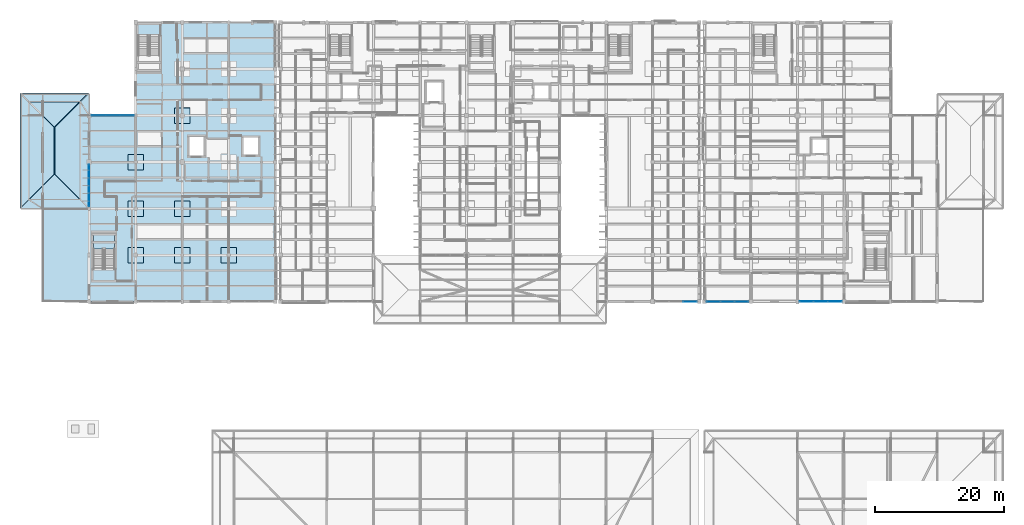
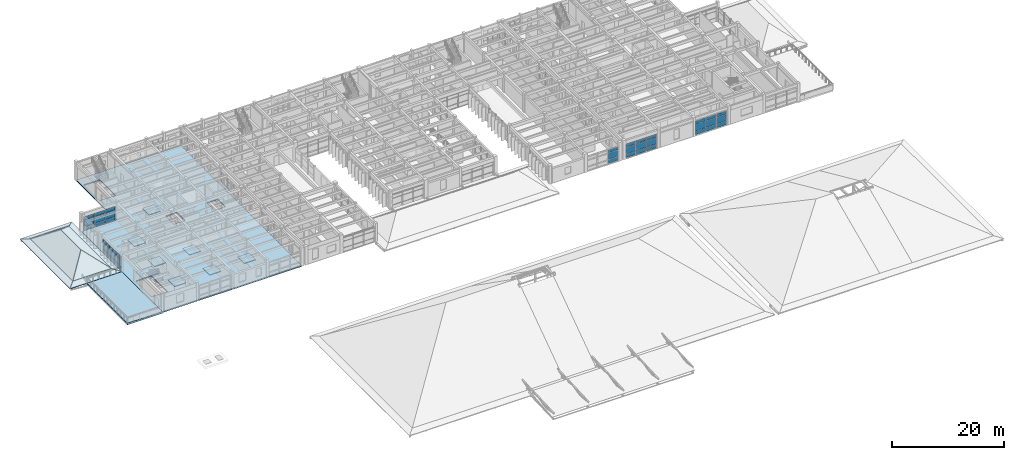
# One storey, part 49 of 100: 39 plates, 18 slabs, 7 elements without a shape of their own.
"""IFC4 building model written with IfcOpenShell, lengths in metres."""

from ifc_helpers import new_model, si_unit, direction, frame, origin, origin_2d, place, context, subcontext, project, spatial, polyline, rectangle, outline, extrude, material, layer, layer_set, type_object, element, aggregate, save


model = new_model("IFC4")

# Units and contexts
model_context = context("Model", 3, precision=1e-05, world=origin(), true_north=direction((0.0, 1.0)))
body_context = subcontext(model_context, "Body", "Model", "MODEL_VIEW")
ifc_project = project(units=[si_unit("LENGTHUNIT", "METRE"), si_unit("AREAUNIT", "SQUARE_METRE"), si_unit("VOLUMEUNIT", "CUBIC_METRE"), si_unit("PLANEANGLEUNIT", "RADIAN"), si_unit("MASSUNIT", "GRAM", prefix="KILO")], contexts=[model_context])

# Site, building, storey
site_placement = place(None, origin())
site = spatial("IfcSite", under=ifc_project, at=site_placement, CompositionType="ELEMENT")
building_placement = place(site_placement, origin())
building = spatial("IfcBuilding", under=site, at=building_placement, Name="Steenspoor Specialist Clinic", CompositionType="ELEMENT")
storey_placement = place(building_placement, frame((0.0, 0.0, 9.0)))
storey = spatial("IfcBuildingStorey", under=building, at=storey_placement, Name="L02", CompositionType="ELEMENT", Elevation=9.0)

# Curtain wall, plates
ifc_material_1 = material(Name="Thermally broken aluminium and low-emissivity glass", Category="aluminium")
curtain_wall_type_1 = type_object("IfcCurtainWallType", Name="CW-SCR-480X320", PredefinedType="USERDEFINED", material=ifc_material_1)
curtain_wall_1_placement = place(storey_placement, origin())
curtain_wall_1 = element("IfcCurtainWall", 1, at=curtain_wall_1_placement, inside=storey, type_object=curtain_wall_type_1, Name="Unitised Curtain Wall CW-V4-L02-090", ObjectType="UNITISED GLAZING", PredefinedType="USERDEFINED")
ifc_material_2 = material(Name="Double low-emissivity insulated glass", Category="glass")
ifc_layer_1 = layer(ifc_material_2, 0.035888671875)
ifc_layer_set_1 = layer_set([ifc_layer_1], Name="Double low-emissivity insulated glass")
plate_type_1 = type_object("IfcPlateType", Name="CW-PAN-GL36", PredefinedType="CURTAIN_PANEL", material=ifc_layer_set_1)
plate_1_placement = place(storey_placement, frame((115.7841796875, 65.14990234375, 0.080078125), z_axis=(0.0, 0.0, 1.0), x_axis=(-1.0, 0.0, 0.0)))
plate_1 = element("IfcPlate", 2, at=plate_1_placement, type_object=plate_type_1, Name="CW-18 panel 1.1", PredefinedType="CURTAIN_PANEL", context=body_context, shape_type="SweptSolid", body=[
    extrude(rectangle(XDim=2.07177734375, YDim=0.035888671875, at=origin_2d()), origin(), (0.0, 0.0, 1.0), 0.780029296875),
])
plate_2_placement = place(storey_placement, frame((115.7841796875, 65.14990234375, 0.93994140625), z_axis=(0.0, 0.0, 1.0), x_axis=(-1.0, 0.0, 0.0)))
plate_2 = element("IfcPlate", 3, at=plate_2_placement, type_object=plate_type_1, Name="CW-18 panel 1.2", PredefinedType="CURTAIN_PANEL", context=body_context, shape_type="SweptSolid", body=[
    extrude(rectangle(XDim=2.07177734375, YDim=0.035888671875, at=origin_2d()), origin(), (0.0, 0.0, 1.0), 1.3701171875),
])
plate_3_placement = place(storey_placement, frame((115.7841796875, 65.14990234375, 2.39013671875), z_axis=(0.0, 0.0, 1.0), x_axis=(-1.0, 0.0, 0.0)))
plate_3 = element("IfcPlate", 4, at=plate_3_placement, type_object=plate_type_1, Name="CW-18 panel 1.3", PredefinedType="CURTAIN_PANEL", context=body_context, shape_type="SweptSolid", body=[
    extrude(rectangle(XDim=2.07177734375, YDim=0.035888671875, at=origin_2d()), origin(), (0.0, 0.0, 1.0), 0.659912109375),
])
aggregate(curtain_wall_1, [plate_1, plate_2, plate_3])

curtain_wall_2_placement = place(storey_placement, origin())
curtain_wall_2 = element("IfcCurtainWall", 5, at=curtain_wall_2_placement, inside=storey, type_object=curtain_wall_type_1, Name="Unitised Curtain Wall CW-V6-L02-186", ObjectType="UNITISED GLAZING", PredefinedType="USERDEFINED")
plate_4_placement = place(storey_placement, frame((123.75927734375, 65.14990234375, 0.070068359375), z_axis=(0.0, 0.0, 1.0), x_axis=(-1.0, 0.0, 0.0)))
plate_4 = element("IfcPlate", 6, at=plate_4_placement, type_object=plate_type_1, Name="CW-18 panel 1.1", PredefinedType="CURTAIN_PANEL", context=body_context, shape_type="SweptSolid", body=[
    extrude(rectangle(XDim=2.07177734375, YDim=0.035888671875, at=origin_2d()), origin(), (0.0, 0.0, 1.0), 0.794921875),
])
plate_5_placement = place(storey_placement, frame((123.75927734375, 65.14990234375, 0.93505859375), z_axis=(0.0, 0.0, 1.0), x_axis=(-1.0, 0.0, 0.0)))
plate_5 = element("IfcPlate", 7, at=plate_5_placement, type_object=plate_type_1, Name="CW-18 panel 1.2", PredefinedType="CURTAIN_PANEL", context=body_context, shape_type="SweptSolid", body=[
    extrude(rectangle(XDim=2.07177734375, YDim=0.035888671875, at=origin_2d()), origin(), (0.0, 0.0, 1.0), 1.3798828125),
])
plate_6_placement = place(storey_placement, frame((123.75927734375, 65.14990234375, 2.384765625), z_axis=(0.0, 0.0, 1.0), x_axis=(-1.0, 0.0, 0.0)))
plate_6 = element("IfcPlate", 8, at=plate_6_placement, type_object=plate_type_1, Name="CW-18 panel 1.3", PredefinedType="CURTAIN_PANEL", context=body_context, shape_type="SweptSolid", body=[
    extrude(rectangle(XDim=2.07177734375, YDim=0.035888671875, at=origin_2d()), origin(), (0.0, 0.0, 1.0), 0.675048828125),
])
plate_7_placement = place(storey_placement, frame((121.58740234375, 65.14990234375, 0.070068359375), z_axis=(0.0, 0.0, 1.0), x_axis=(-1.0, 0.0, 0.0)))
plate_7 = element("IfcPlate", 9, at=plate_7_placement, type_object=plate_type_1, Name="CW-18 panel 2.1", PredefinedType="CURTAIN_PANEL", context=body_context, shape_type="SweptSolid", body=[
    extrude(rectangle(XDim=2.111572265625, YDim=0.035888671875, at=origin_2d()), origin(), (0.0, 0.0, 1.0), 0.794921875),
])
plate_8_placement = place(storey_placement, frame((121.58740234375, 65.14990234375, 0.93505859375), z_axis=(0.0, 0.0, 1.0), x_axis=(-1.0, 0.0, 0.0)))
plate_8 = element("IfcPlate", 10, at=plate_8_placement, type_object=plate_type_1, Name="CW-18 panel 2.2", PredefinedType="CURTAIN_PANEL", context=body_context, shape_type="SweptSolid", body=[
    extrude(rectangle(XDim=2.111572265625, YDim=0.035888671875, at=origin_2d()), origin(), (0.0, 0.0, 1.0), 1.3798828125),
])
plate_9_placement = place(storey_placement, frame((121.58740234375, 65.14990234375, 2.384765625), z_axis=(0.0, 0.0, 1.0), x_axis=(-1.0, 0.0, 0.0)))
plate_9 = element("IfcPlate", 11, at=plate_9_placement, type_object=plate_type_1, Name="CW-18 panel 2.3", PredefinedType="CURTAIN_PANEL", context=body_context, shape_type="SweptSolid", body=[
    extrude(rectangle(XDim=2.111572265625, YDim=0.035888671875, at=origin_2d()), origin(), (0.0, 0.0, 1.0), 0.675048828125),
])
plate_10_placement = place(storey_placement, frame((119.415771484375, 65.14990234375, 0.070068359375), z_axis=(0.0, 0.0, 1.0), x_axis=(-1.0, 0.0, 0.0)))
plate_10 = element("IfcPlate", 12, at=plate_10_placement, type_object=plate_type_1, Name="CW-18 panel 3.1", PredefinedType="CURTAIN_PANEL", context=body_context, shape_type="SweptSolid", body=[
    extrude(rectangle(XDim=2.07177734375, YDim=0.035888671875, at=origin_2d()), origin(), (0.0, 0.0, 1.0), 0.794921875),
])
plate_11_placement = place(storey_placement, frame((119.415771484375, 65.14990234375, 0.93505859375), z_axis=(0.0, 0.0, 1.0), x_axis=(-1.0, 0.0, 0.0)))
plate_11 = element("IfcPlate", 13, at=plate_11_placement, type_object=plate_type_1, Name="CW-18 panel 3.2", PredefinedType="CURTAIN_PANEL", context=body_context, shape_type="SweptSolid", body=[
    extrude(rectangle(XDim=2.07177734375, YDim=0.035888671875, at=origin_2d()), origin(), (0.0, 0.0, 1.0), 1.3798828125),
])
plate_12_placement = place(storey_placement, frame((119.415771484375, 65.14990234375, 2.384765625), z_axis=(0.0, 0.0, 1.0), x_axis=(-1.0, 0.0, 0.0)))
plate_12 = element("IfcPlate", 14, at=plate_12_placement, type_object=plate_type_1, Name="CW-18 panel 3.3", PredefinedType="CURTAIN_PANEL", context=body_context, shape_type="SweptSolid", body=[
    extrude(rectangle(XDim=2.07177734375, YDim=0.035888671875, at=origin_2d()), origin(), (0.0, 0.0, 1.0), 0.675048828125),
])
aggregate(curtain_wall_2, [plate_4, plate_5, plate_6, plate_7, plate_8, plate_9, plate_10, plate_11, plate_12])

curtain_wall_type_2 = type_object("IfcCurtainWallType", Name="CW-L00-360X415", PredefinedType="USERDEFINED", material=ifc_material_1)
curtain_wall_3_placement = place(storey_placement, origin())
curtain_wall_3 = element("IfcCurtainWall", 15, at=curtain_wall_3_placement, inside=storey, type_object=curtain_wall_type_2, Name="Unitised Curtain Wall CW-V5-L02-151", ObjectType="UNITISED GLAZING", PredefinedType="USERDEFINED")
ifc_material_3 = material(Name="Triple acoustic laminated low-emissivity glass", Category="glass")
ifc_layer_2 = layer(ifc_material_3, 0.048095703125)
ifc_layer_set_2 = layer_set([ifc_layer_2], Name="Triple acoustic laminated low-emissivity glass")
plate_type_2 = type_object("IfcPlateType", Name="CW-PAN-GL48", PredefinedType="CURTAIN_PANEL", material=ifc_layer_set_2)
plate_13_placement = place(storey_placement, frame((22.800048828125, 80.936767578125, 0.070068359375), z_axis=(0.0, 0.0, 1.0), x_axis=(0.0, 1.0, 0.0)))
plate_13 = element("IfcPlate", 16, at=plate_13_placement, type_object=plate_type_2, Name="CW-07 panel 1.1", PredefinedType="CURTAIN_PANEL", context=body_context, shape_type="SweptSolid", body=[
    extrude(rectangle(XDim=2.063232421875, YDim=0.048095703125, at=origin_2d()), origin(), (0.0, 0.0, 1.0), 0.794921875),
])
plate_14_placement = place(storey_placement, frame((22.800048828125, 80.936767578125, 0.93505859375), z_axis=(0.0, 0.0, 1.0), x_axis=(0.0, 1.0, 0.0)))
plate_14 = element("IfcPlate", 17, at=plate_14_placement, type_object=plate_type_2, Name="CW-07 panel 1.2", PredefinedType="CURTAIN_PANEL", context=body_context, shape_type="SweptSolid", body=[
    extrude(rectangle(XDim=2.063232421875, YDim=0.048095703125, at=origin_2d()), origin(), (0.0, 0.0, 1.0), 1.3798828125),
])
plate_15_placement = place(storey_placement, frame((22.800048828125, 80.936767578125, 2.384765625), z_axis=(0.0, 0.0, 1.0), x_axis=(0.0, 1.0, 0.0)))
plate_15 = element("IfcPlate", 18, at=plate_15_placement, type_object=plate_type_2, Name="CW-07 panel 1.3", PredefinedType="CURTAIN_PANEL", context=body_context, shape_type="SweptSolid", body=[
    extrude(rectangle(XDim=2.063232421875, YDim=0.048095703125, at=origin_2d()), origin(), (0.0, 0.0, 1.0), 0.675048828125),
])
plate_16_placement = place(storey_placement, frame((22.800048828125, 83.10009765625, 0.070068359375), z_axis=(0.0, 0.0, 1.0), x_axis=(0.0, 1.0, 0.0)))
plate_16 = element("IfcPlate", 19, at=plate_16_placement, type_object=plate_type_2, Name="CW-07 panel 2.1", PredefinedType="CURTAIN_PANEL", context=body_context, shape_type="SweptSolid", body=[
    extrude(rectangle(XDim=2.103271484375, YDim=0.048095703125, at=origin_2d()), origin(), (0.0, 0.0, 1.0), 0.794921875),
])
plate_17_placement = place(storey_placement, frame((22.800048828125, 83.10009765625, 0.93505859375), z_axis=(0.0, 0.0, 1.0), x_axis=(0.0, 1.0, 0.0)))
plate_17 = element("IfcPlate", 20, at=plate_17_placement, type_object=plate_type_2, Name="CW-07 panel 2.2", PredefinedType="CURTAIN_PANEL", context=body_context, shape_type="SweptSolid", body=[
    extrude(rectangle(XDim=2.103271484375, YDim=0.048095703125, at=origin_2d()), origin(), (0.0, 0.0, 1.0), 1.3798828125),
])
plate_18_placement = place(storey_placement, frame((22.800048828125, 83.10009765625, 2.384765625), z_axis=(0.0, 0.0, 1.0), x_axis=(0.0, 1.0, 0.0)))
plate_18 = element("IfcPlate", 21, at=plate_18_placement, type_object=plate_type_2, Name="CW-07 panel 2.3", PredefinedType="CURTAIN_PANEL", context=body_context, shape_type="SweptSolid", body=[
    extrude(rectangle(XDim=2.103271484375, YDim=0.048095703125, at=origin_2d()), origin(), (0.0, 0.0, 1.0), 0.675048828125),
])
plate_19_placement = place(storey_placement, frame((22.800048828125, 85.263427734375, 0.070068359375), z_axis=(0.0, 0.0, 1.0), x_axis=(0.0, 1.0, 0.0)))
plate_19 = element("IfcPlate", 22, at=plate_19_placement, type_object=plate_type_2, Name="CW-07 panel 3.1", PredefinedType="CURTAIN_PANEL", context=body_context, shape_type="SweptSolid", body=[
    extrude(rectangle(XDim=2.063232421875, YDim=0.048095703125, at=origin_2d()), origin(), (0.0, 0.0, 1.0), 0.794921875),
])
plate_20_placement = place(storey_placement, frame((22.800048828125, 85.263427734375, 0.93505859375), z_axis=(0.0, 0.0, 1.0), x_axis=(0.0, 1.0, 0.0)))
plate_20 = element("IfcPlate", 23, at=plate_20_placement, type_object=plate_type_2, Name="CW-07 panel 3.2", PredefinedType="CURTAIN_PANEL", context=body_context, shape_type="SweptSolid", body=[
    extrude(rectangle(XDim=2.063232421875, YDim=0.048095703125, at=origin_2d()), origin(), (0.0, 0.0, 1.0), 1.3798828125),
])
plate_21_placement = place(storey_placement, frame((22.800048828125, 85.263427734375, 2.384765625), z_axis=(0.0, 0.0, 1.0), x_axis=(0.0, 1.0, 0.0)))
plate_21 = element("IfcPlate", 24, at=plate_21_placement, type_object=plate_type_2, Name="CW-07 panel 3.3", PredefinedType="CURTAIN_PANEL", context=body_context, shape_type="SweptSolid", body=[
    extrude(rectangle(XDim=2.063232421875, YDim=0.048095703125, at=origin_2d()), origin(), (0.0, 0.0, 1.0), 0.675048828125),
])
aggregate(curtain_wall_3, [plate_13, plate_14, plate_15, plate_16, plate_17, plate_18, plate_19, plate_20, plate_21])

curtain_wall_type_3 = type_object("IfcCurtainWallType", Name="CW-L00-240X415", PredefinedType="USERDEFINED", material=ifc_material_1)
curtain_wall_4_placement = place(storey_placement, origin())
curtain_wall_4 = element("IfcCurtainWall", 25, at=curtain_wall_4_placement, inside=storey, type_object=curtain_wall_type_3, Name="Unitised Curtain Wall CW-V5-L02-152", ObjectType="UNITISED GLAZING", PredefinedType="USERDEFINED")
ifc_material_4 = material(Name="Insulated glazed ceramic spandrel panel", Category="glass")
ifc_layer_3 = layer(ifc_material_4, 0.074951171875)
ifc_layer_set_3 = layer_set([ifc_layer_3], Name="Insulated glazed ceramic spandrel panel")
plate_type_3 = type_object("IfcPlateType", Name="CW-PAN-SP75", PredefinedType="CURTAIN_PANEL", material=ifc_layer_set_3)
plate_22_placement = place(storey_placement, frame((24.271728515625, 93.949951171875, 0.06494140625), z_axis=(0.0, 0.0, 1.0), x_axis=(1.0, 0.0, 0.0)))
plate_22 = element("IfcPlate", 26, at=plate_22_placement, type_object=plate_type_3, Name="CW-08 panel 1.1", PredefinedType="CURTAIN_PANEL", context=body_context, shape_type="SweptSolid", body=[
    extrude(rectangle(XDim=2.103271484375, YDim=0.074951171875, at=origin_2d()), origin(), (0.0, 0.0, 1.0), 0.802490234375),
])
plate_23_placement = place(storey_placement, frame((24.271728515625, 93.949951171875, 0.9326171875), z_axis=(0.0, 0.0, 1.0), x_axis=(1.0, 0.0, 0.0)))
plate_23 = element("IfcPlate", 27, at=plate_23_placement, type_object=plate_type_3, Name="CW-08 panel 1.2", PredefinedType="CURTAIN_PANEL", context=body_context, shape_type="SweptSolid", body=[
    extrude(rectangle(XDim=2.103271484375, YDim=0.074951171875, at=origin_2d()), origin(), (0.0, 0.0, 1.0), 1.385009765625),
])
plate_24_placement = place(storey_placement, frame((24.271728515625, 93.949951171875, 2.38232421875), z_axis=(0.0, 0.0, 1.0), x_axis=(1.0, 0.0, 0.0)))
plate_24 = element("IfcPlate", 28, at=plate_24_placement, type_object=plate_type_3, Name="CW-08 panel 1.3", PredefinedType="CURTAIN_PANEL", context=body_context, shape_type="SweptSolid", body=[
    extrude(rectangle(XDim=2.103271484375, YDim=0.074951171875, at=origin_2d()), origin(), (0.0, 0.0, 1.0), 0.6826171875),
])
plate_25_placement = place(storey_placement, frame((26.46240234375, 93.949951171875, 0.06494140625), z_axis=(0.0, 0.0, 1.0), x_axis=(1.0, 0.0, 0.0)))
plate_25 = element("IfcPlate", 29, at=plate_25_placement, type_object=plate_type_3, Name="CW-08 panel 2.1", PredefinedType="CURTAIN_PANEL", context=body_context, shape_type="SweptSolid", body=[
    extrude(rectangle(XDim=2.138427734375, YDim=0.074951171875, at=origin_2d()), origin(), (0.0, 0.0, 1.0), 0.802490234375),
])
plate_26_placement = place(storey_placement, frame((26.46240234375, 93.949951171875, 0.9326171875), z_axis=(0.0, 0.0, 1.0), x_axis=(1.0, 0.0, 0.0)))
plate_26 = element("IfcPlate", 30, at=plate_26_placement, type_object=plate_type_3, Name="CW-08 panel 2.2", PredefinedType="CURTAIN_PANEL", context=body_context, shape_type="SweptSolid", body=[
    extrude(rectangle(XDim=2.138427734375, YDim=0.074951171875, at=origin_2d()), origin(), (0.0, 0.0, 1.0), 1.385009765625),
])
plate_27_placement = place(storey_placement, frame((26.46240234375, 93.949951171875, 2.38232421875), z_axis=(0.0, 0.0, 1.0), x_axis=(1.0, 0.0, 0.0)))
plate_27 = element("IfcPlate", 31, at=plate_27_placement, type_object=plate_type_3, Name="CW-08 panel 2.3", PredefinedType="CURTAIN_PANEL", context=body_context, shape_type="SweptSolid", body=[
    extrude(rectangle(XDim=2.138427734375, YDim=0.074951171875, at=origin_2d()), origin(), (0.0, 0.0, 1.0), 0.6826171875),
])
plate_28_placement = place(storey_placement, frame((28.6533203125, 93.949951171875, 0.06494140625), z_axis=(0.0, 0.0, 1.0), x_axis=(1.0, 0.0, 0.0)))
plate_28 = element("IfcPlate", 32, at=plate_28_placement, type_object=plate_type_3, Name="CW-08 panel 3.1", PredefinedType="CURTAIN_PANEL", context=body_context, shape_type="SweptSolid", body=[
    extrude(rectangle(XDim=2.103271484375, YDim=0.074951171875, at=origin_2d()), origin(), (0.0, 0.0, 1.0), 0.802490234375),
])
plate_29_placement = place(storey_placement, frame((28.6533203125, 93.949951171875, 0.9326171875), z_axis=(0.0, 0.0, 1.0), x_axis=(1.0, 0.0, 0.0)))
plate_29 = element("IfcPlate", 33, at=plate_29_placement, type_object=plate_type_3, Name="CW-08 panel 3.2", PredefinedType="CURTAIN_PANEL", context=body_context, shape_type="SweptSolid", body=[
    extrude(rectangle(XDim=2.103271484375, YDim=0.074951171875, at=origin_2d()), origin(), (0.0, 0.0, 1.0), 1.385009765625),
])
plate_30_placement = place(storey_placement, frame((28.6533203125, 93.949951171875, 2.38232421875), z_axis=(0.0, 0.0, 1.0), x_axis=(1.0, 0.0, 0.0)))
plate_30 = element("IfcPlate", 34, at=plate_30_placement, type_object=plate_type_3, Name="CW-08 panel 3.3", PredefinedType="CURTAIN_PANEL", context=body_context, shape_type="SweptSolid", body=[
    extrude(rectangle(XDim=2.103271484375, YDim=0.074951171875, at=origin_2d()), origin(), (0.0, 0.0, 1.0), 0.6826171875),
])
aggregate(curtain_wall_4, [plate_22, plate_23, plate_24, plate_25, plate_26, plate_27, plate_28, plate_29, plate_30])

curtain_wall_type_4 = type_object("IfcCurtainWallType", Name="CW-SCR-660X320", PredefinedType="USERDEFINED", material=ifc_material_1)
curtain_wall_5_placement = place(storey_placement, origin())
curtain_wall_5 = element("IfcCurtainWall", 35, at=curtain_wall_5_placement, inside=storey, type_object=curtain_wall_type_4, Name="Unitised Curtain Wall CW-V6-L02-185", ObjectType="UNITISED GLAZING", PredefinedType="USERDEFINED")
plate_31_placement = place(storey_placement, frame((138.169189453125, 65.14990234375, 0.080078125), z_axis=(0.0, 0.0, 1.0), x_axis=(-1.0, 0.0, 0.0)))
plate_31 = element("IfcPlate", 36, at=plate_31_placement, type_object=plate_type_3, Name="CW-17 panel 1.1", PredefinedType="CURTAIN_PANEL", context=body_context, shape_type="SweptSolid", body=[
    extrude(rectangle(XDim=2.081787109375, YDim=0.074951171875, at=origin_2d()), origin(), (0.0, 0.0, 1.0), 0.780029296875),
])
plate_32_placement = place(storey_placement, frame((138.169189453125, 65.14990234375, 0.93994140625), z_axis=(0.0, 0.0, 1.0), x_axis=(-1.0, 0.0, 0.0)))
plate_32 = element("IfcPlate", 37, at=plate_32_placement, type_object=plate_type_3, Name="CW-17 panel 1.2", PredefinedType="CURTAIN_PANEL", context=body_context, shape_type="SweptSolid", body=[
    extrude(rectangle(XDim=2.081787109375, YDim=0.074951171875, at=origin_2d()), origin(), (0.0, 0.0, 1.0), 1.3701171875),
])
plate_33_placement = place(storey_placement, frame((138.169189453125, 65.14990234375, 2.39013671875), z_axis=(0.0, 0.0, 1.0), x_axis=(-1.0, 0.0, 0.0)))
plate_33 = element("IfcPlate", 38, at=plate_33_placement, type_object=plate_type_3, Name="CW-17 panel 1.3", PredefinedType="CURTAIN_PANEL", context=body_context, shape_type="SweptSolid", body=[
    extrude(rectangle(XDim=2.081787109375, YDim=0.074951171875, at=origin_2d()), origin(), (0.0, 0.0, 1.0), 0.659912109375),
])
plate_34_placement = place(storey_placement, frame((135.97509765625, 65.14990234375, 0.080078125), z_axis=(0.0, 0.0, 1.0), x_axis=(-1.0, 0.0, 0.0)))
plate_34 = element("IfcPlate", 39, at=plate_34_placement, type_object=plate_type_3, Name="CW-17 panel 2.1", PredefinedType="CURTAIN_PANEL", context=body_context, shape_type="SweptSolid", body=[
    extrude(rectangle(XDim=2.126708984375, YDim=0.074951171875, at=origin_2d()), origin(), (0.0, 0.0, 1.0), 0.780029296875),
])
plate_35_placement = place(storey_placement, frame((135.97509765625, 65.14990234375, 0.93994140625), z_axis=(0.0, 0.0, 1.0), x_axis=(-1.0, 0.0, 0.0)))
plate_35 = element("IfcPlate", 40, at=plate_35_placement, type_object=plate_type_3, Name="CW-17 panel 2.2", PredefinedType="CURTAIN_PANEL", context=body_context, shape_type="SweptSolid", body=[
    extrude(rectangle(XDim=2.126708984375, YDim=0.074951171875, at=origin_2d()), origin(), (0.0, 0.0, 1.0), 1.3701171875),
])
plate_36_placement = place(storey_placement, frame((135.97509765625, 65.14990234375, 2.39013671875), z_axis=(0.0, 0.0, 1.0), x_axis=(-1.0, 0.0, 0.0)))
plate_36 = element("IfcPlate", 41, at=plate_36_placement, type_object=plate_type_3, Name="CW-17 panel 2.3", PredefinedType="CURTAIN_PANEL", context=body_context, shape_type="SweptSolid", body=[
    extrude(rectangle(XDim=2.126708984375, YDim=0.074951171875, at=origin_2d()), origin(), (0.0, 0.0, 1.0), 0.659912109375),
])
plate_37_placement = place(storey_placement, frame((133.78076171875, 65.14990234375, 0.080078125), z_axis=(0.0, 0.0, 1.0), x_axis=(-1.0, 0.0, 0.0)))
plate_37 = element("IfcPlate", 42, at=plate_37_placement, type_object=plate_type_3, Name="CW-17 panel 3.1", PredefinedType="CURTAIN_PANEL", context=body_context, shape_type="SweptSolid", body=[
    extrude(rectangle(XDim=2.081787109375, YDim=0.074951171875, at=origin_2d()), origin(), (0.0, 0.0, 1.0), 0.780029296875),
])
plate_38_placement = place(storey_placement, frame((133.78076171875, 65.14990234375, 0.93994140625), z_axis=(0.0, 0.0, 1.0), x_axis=(-1.0, 0.0, 0.0)))
plate_38 = element("IfcPlate", 43, at=plate_38_placement, type_object=plate_type_3, Name="CW-17 panel 3.2", PredefinedType="CURTAIN_PANEL", context=body_context, shape_type="SweptSolid", body=[
    extrude(rectangle(XDim=2.081787109375, YDim=0.074951171875, at=origin_2d()), origin(), (0.0, 0.0, 1.0), 1.3701171875),
])
plate_39_placement = place(storey_placement, frame((133.78076171875, 65.14990234375, 2.39013671875), z_axis=(0.0, 0.0, 1.0), x_axis=(-1.0, 0.0, 0.0)))
plate_39 = element("IfcPlate", 44, at=plate_39_placement, type_object=plate_type_3, Name="CW-17 panel 3.3", PredefinedType="CURTAIN_PANEL", context=body_context, shape_type="SweptSolid", body=[
    extrude(rectangle(XDim=2.081787109375, YDim=0.074951171875, at=origin_2d()), origin(), (0.0, 0.0, 1.0), 0.659912109375),
])
aggregate(curtain_wall_5, [plate_31, plate_32, plate_33, plate_34, plate_35, plate_36, plate_37, plate_38, plate_39])

# Slabs
ifc_material_5 = material(Name="Concrete C35/45", Category="concrete")
ifc_layer_4 = layer(ifc_material_5, 0.169921875)
ifc_layer_set_4 = layer_set([ifc_layer_4], Name="Concrete C35/45")
slab_type_1 = type_object("IfcSlabType", Name="SL-DROP-170", PredefinedType="USERDEFINED", material=ifc_layer_set_4)
slab_1_placement = place(storey_placement, frame((0.0, 0.0, -0.419921875)))
element("IfcSlab", 45, at=slab_1_placement, inside=storey, type_object=slab_type_1, Name="Column Drop Panel DROP-V5-L02-107", ObjectType="DROP PANEL", PredefinedType="USERDEFINED", context=body_context, shape_type="SweptSolid", body=[
    extrude(outline(polyline([(31.199951171875, 71.14990234375), (31.199951171875, 73.550048828125), (28.800048828125, 73.550048828125), (28.800048828125, 71.14990234375), (31.199951171875, 71.14990234375)])), origin(), (0.0, 0.0, 1.0), 0.169921875),
])
slab_2_placement = place(storey_placement, frame((0.0, 0.0, -0.419921875)))
element("IfcSlab", 46, at=slab_2_placement, inside=storey, type_object=slab_type_1, Name="Column Drop Panel DROP-V5-L02-108", ObjectType="DROP PANEL", PredefinedType="USERDEFINED", context=body_context, shape_type="SweptSolid", body=[
    extrude(outline(polyline([(31.199951171875, 78.35009765625), (31.199951171875, 80.75), (28.800048828125, 80.75), (28.800048828125, 78.35009765625), (31.199951171875, 78.35009765625)])), origin(), (0.0, 0.0, 1.0), 0.169921875),
])
slab_3_placement = place(storey_placement, frame((0.0, 0.0, -0.419921875)))
element("IfcSlab", 47, at=slab_3_placement, inside=storey, type_object=slab_type_1, Name="Column Drop Panel DROP-V5-L02-109", ObjectType="DROP PANEL", PredefinedType="USERDEFINED", context=body_context, shape_type="SweptSolid", body=[
    extrude(outline(polyline([(31.199951171875, 85.550048828125), (31.199951171875, 87.949951171875), (28.800048828125, 87.949951171875), (28.800048828125, 85.550048828125), (31.199951171875, 85.550048828125)])), origin(), (0.0, 0.0, 1.0), 0.169921875),
])
slab_4_placement = place(storey_placement, frame((0.0, 0.0, -0.419921875)))
element("IfcSlab", 48, at=slab_4_placement, inside=storey, type_object=slab_type_1, Name="Column Drop Panel DROP-V5-L02-110", ObjectType="DROP PANEL", PredefinedType="USERDEFINED", context=body_context, shape_type="SweptSolid", body=[
    extrude(outline(polyline([(38.39990234375, 71.14990234375), (38.39990234375, 73.550048828125), (36.0, 73.550048828125), (36.0, 71.14990234375), (38.39990234375, 71.14990234375)])), origin(), (0.0, 0.0, 1.0), 0.169921875),
])
slab_5_placement = place(storey_placement, frame((0.0, 0.0, -0.419921875)))
element("IfcSlab", 49, at=slab_5_placement, inside=storey, type_object=slab_type_1, Name="Column Drop Panel DROP-V5-L02-111", ObjectType="DROP PANEL", PredefinedType="USERDEFINED", context=body_context, shape_type="SweptSolid", body=[
    extrude(outline(polyline([(38.39990234375, 78.35009765625), (38.39990234375, 80.75), (36.0, 80.75), (36.0, 78.35009765625), (38.39990234375, 78.35009765625)])), origin(), (0.0, 0.0, 1.0), 0.169921875),
])
slab_6_placement = place(storey_placement, frame((0.0, 0.0, -0.419921875)))
element("IfcSlab", 50, at=slab_6_placement, inside=storey, type_object=slab_type_1, Name="Column Drop Panel DROP-V5-L02-112", ObjectType="DROP PANEL", PredefinedType="USERDEFINED", context=body_context, shape_type="SweptSolid", body=[
    extrude(outline(polyline([(38.39990234375, 92.75), (38.39990234375, 95.14990234375), (36.0, 95.14990234375), (36.0, 92.75), (38.39990234375, 92.75)])), origin(), (0.0, 0.0, 1.0), 0.169921875),
])
slab_7_placement = place(storey_placement, frame((0.0, 0.0, -0.419921875)))
element("IfcSlab", 51, at=slab_7_placement, inside=storey, type_object=slab_type_1, Name="Column Drop Panel DROP-V5-L02-114", ObjectType="DROP PANEL", PredefinedType="USERDEFINED", context=body_context, shape_type="SweptSolid", body=[
    extrude(outline(polyline([(45.60009765625, 71.14990234375), (45.60009765625, 73.550048828125), (43.199951171875, 73.550048828125), (43.199951171875, 71.14990234375), (45.60009765625, 71.14990234375)])), origin(), (0.0, 0.0, 1.0), 0.169921875),
])
ifc_layer_5 = layer(ifc_material_5, 0.25)
ifc_layer_set_5 = layer_set([ifc_layer_5], Name="Concrete C35/45")
slab_type_2 = type_object("IfcSlabType", Name="SL-FLAT-250", PredefinedType="FLOOR", material=ifc_layer_set_5)
slab_8_placement = place(storey_placement, frame((0.0, 0.0, -0.25)))
element("IfcSlab", 52, at=slab_8_placement, inside=storey, type_object=slab_type_2, Name="Structural Slab SLAB-V5-L02-040", PredefinedType="FLOOR", context=body_context, shape_type="SweptSolid", body=[
    extrude(outline(polyline([(22.800048828125, 93.949951171875), (30.0, 93.949951171875), (30.0, 108.35009765625), (51.60009765625, 108.35009765625), (51.60009765625, 93.949951171875), (51.60009765625, 65.14990234375), (22.800048828125, 65.14990234375), (22.800048828125, 93.949951171875)]), holes=[polyline([(23.449951171875, 70.14990234375), (26.75, 70.14990234375), (26.75, 75.800048828125), (23.449951171875, 75.800048828125), (23.449951171875, 70.14990234375)]), polyline([(38.25, 90.699951171875), (38.25, 87.699951171875), (40.550048828125, 87.699951171875), (40.550048828125, 90.699951171875), (38.25, 90.699951171875)]), polyline([(46.64990234375, 90.550048828125), (46.64990234375, 87.85009765625), (48.949951171875, 87.85009765625), (48.949951171875, 90.550048828125), (46.64990234375, 90.550048828125)]), polyline([(30.39990234375, 106.35009765625), (30.39990234375, 100.699951171875), (33.699951171875, 100.699951171875), (33.699951171875, 106.35009765625), (30.39990234375, 106.35009765625)])]), origin(), (0.0, 0.0, 1.0), 0.25),
])
ifc_layer_6 = layer(ifc_material_5, 0.3798828125)
ifc_layer_set_6 = layer_set([ifc_layer_6], Name="Concrete C35/45")
slab_type_3 = type_object("IfcSlabType", Name="SL-GARDEN-380", PredefinedType="FLOOR", material=ifc_layer_set_6)
slab_9_placement = place(storey_placement, frame((0.0, 0.0, -0.3798828125)))
element("IfcSlab", 53, at=slab_9_placement, inside=storey, type_object=slab_type_3, Name="Planted Roof Terrace Slab TERR-V5-L02-01", PredefinedType="FLOOR", context=body_context, shape_type="SweptSolid", body=[
    extrude(outline(polyline([(22.800048828125, 65.14990234375), (22.800048828125, 79.550048828125), (15.60009765625, 79.550048828125), (15.60009765625, 65.14990234375), (22.800048828125, 65.14990234375)])), origin(), (0.0, 0.0, 1.0), 0.3798828125),
])

# Stair, slab
stair_type = type_object("IfcStairType", Name="ST-CORE-TYP", PredefinedType="HALF_TURN_STAIR", material=ifc_material_5)
stair_placement = place(storey_placement, origin())
stair = element("IfcStair", 54, at=stair_placement, inside=storey, type_object=stair_type, Name="L02 Enclosed Exit Stair ST-V5B", PredefinedType="HALF_TURN_STAIR")
ifc_layer_7 = layer(ifc_material_5, 0.199951171875)
ifc_layer_set_7 = layer_set([ifc_layer_7], Name="Concrete C35/45")
slab_type_4 = type_object("IfcSlabType", Name="SL-LAND-200", PredefinedType="LANDING", material=ifc_layer_set_7)
slab_10_placement = place(storey_placement, frame((0.0, 0.0, 1.89990234375)))
slab_10 = element("IfcSlab", 55, at=slab_10_placement, type_object=slab_type_4, Name="ST-V5B landing 1", PredefinedType="LANDING", context=body_context, shape_type="SweptSolid", body=[
    extrude(outline(polyline([(26.75, 73.284912109375), (26.75, 75.800048828125), (23.449951171875, 75.800048828125), (23.449951171875, 73.284912109375), (26.75, 73.284912109375)])), origin(), (0.0, 0.0, 1.0), 0.2001953125),
])
aggregate(stair, [slab_10])

# Roof, slabs
ifc_material_6 = material(Name="Extruded terracotta clay roof tile", Category="masonry")
roof_type = type_object("IfcRoofType", Name="ROOF-HIP-TIER", PredefinedType="HIP_ROOF", material=ifc_material_6)
roof_placement = place(storey_placement, origin())
roof = element("IfcRoof", 56, at=roof_placement, inside=storey, type_object=roof_type, Name="Tiered Hipped Roof V5T1", PredefinedType="HIP_ROOF")
ifc_layer_8 = layer(ifc_material_5, 0.14990234375)
ifc_layer_set_8 = layer_set([ifc_layer_8], Name="Concrete C35/45")
slab_type_5 = type_object("IfcSlabType", Name="SL-ROOF-150", PredefinedType="ROOF", material=ifc_layer_set_8)
slab_11_placement = place(storey_placement, frame((13.50048828125, 80.9208984375, 0.33447265625), z_axis=(0.0, -0.242036762378, 0.970267079549), x_axis=(-0.696421983868, -0.696295200328, -0.173693449463)))
slab_11 = element("IfcSlab", 57, at=slab_11_placement, type_object=slab_type_5, Name="Hipped Roof Slab RSLAB-V5T1-SKS", PredefinedType="ROOF", context=body_context, shape_type="SweptSolid", body=[
    extrude(outline(polyline([(0.0, 0.0), (1.9256492244505445, -1.1102230246251565e-16), (-5.422486834824596, 7.571934044579693), (-5.480242525395815, 5.64715114361823), (0.0, 0.0)])), origin(), (0.0, 0.0, -1.0), 0.14990234375),
])
slab_12_placement = place(storey_placement, frame((21.36962890625, 96.10888671875, 0.33447265625), z_axis=(0.0, 0.241995280227, 0.970277426486), x_axis=(0.696360507135, 0.696360507135, -0.173678116653)))
slab_12 = element("IfcSlab", 58, at=slab_12_placement, type_object=slab_type_5, Name="Hipped Roof Slab RSLAB-V5T1-SKN", PredefinedType="ROOF", context=body_context, shape_type="SweptSolid", body=[
    extrude(outline(polyline([(0.0, 0.0), (1.9258192263683114, -5.551115123125783e-17), (-5.421668175335555, 7.572563476319465), (-5.47975875634502, 5.647620574036952), (0.0, 0.0)])), origin(), (0.0, 0.0, -1.0), 0.14990234375),
])
slab_13_placement = place(storey_placement, frame((13.44091796875, 96.049560546875, 0.33447265625), z_axis=(-0.242036762378, 0.0, 0.970267079549), x_axis=(-0.696295200328, 0.696421983868, -0.173693449463)))
slab_13 = element("IfcSlab", 59, at=slab_13_placement, type_object=slab_type_5, Name="Hipped Roof Slab RSLAB-V5T1-SKW", PredefinedType="ROOF", context=body_context, shape_type="SweptSolid", body=[
    extrude(outline(polyline([(0.0, 0.0), (1.9256492244505445, -1.1102230246251565e-16), (-10.436691113691808, 12.738853080830788), (-10.494446804263028, 10.814070179869324), (0.0, 0.0)])), origin(), (0.0, 0.0, -1.0), 0.14990234375),
])
slab_14_placement = place(storey_placement, frame((21.428955078125, 80.98046875, 0.33447265625), z_axis=(0.241995280227, 0.0, 0.970277426486), x_axis=(0.696360507135, -0.696360507135, -0.173678116653)))
slab_14 = element("IfcSlab", 60, at=slab_14_placement, type_object=slab_type_5, Name="Hipped Roof Slab RSLAB-V5T1-SKE", PredefinedType="ROOF", context=body_context, shape_type="SweptSolid", body=[
    extrude(outline(polyline([(0.0, 0.0), (1.9258192263683114, -5.551115123125783e-17), (-10.43542982473277, 12.739912022761628), (-10.493520405742233, 10.814969120479114), (0.0, 0.0)])), origin(), (0.0, 0.0, -1.0), 0.14990234375),
])
slab_15_placement = place(storey_placement, frame((13.458984375, 80.998291015625, 0.343505859375), z_axis=(-0.609451554739, 0.0, 0.792823310976), x_axis=(0.621259947301, 0.621259947301, 0.477569006281)))
slab_15 = element("IfcSlab", 61, at=slab_15_placement, type_object=slab_type_5, Name="Hipped Roof Slab RSLAB-V5T1-W", PredefinedType="ROOF", context=body_context, shape_type="SweptSolid", body=[
    extrude(outline(polyline([(0.0, 0.0), (6.332425015235609, 2.220446049250313e-16), (10.78392848040261, 5.614748461025789), (9.339526981196062, 11.780086246077342), (0.0, 0.0)])), origin(), (0.0, 0.0, -1.0), 0.14990234375),
])
slab_16_placement = place(storey_placement, frame((21.410888671875, 96.031494140625, 0.343505859375), z_axis=(0.609475328647, 0.0, 0.792805035157), x_axis=(-0.621251153564, -0.621251153564, 0.477591884763)))
slab_16 = element("IfcSlab", 62, at=slab_16_placement, type_object=slab_type_5, Name="Hipped Roof Slab RSLAB-V5T1-E", PredefinedType="ROOF", context=body_context, shape_type="SweptSolid", body=[
    extrude(outline(polyline([(0.0, 0.0), (6.332121667798823, 4.440892098500626e-16), (10.78356212335002, 5.614798415942236), (9.339394783161964, 11.780191054552422), (0.0, 0.0)])), origin(), (0.0, 0.0, -1.0), 0.14990234375),
])
slab_17_placement = place(storey_placement, frame((17.43505859375, 84.855712890625, 3.354248046875), z_axis=(0.0, -0.609438459598, 0.792833377175), x_axis=(-0.621264790732, -0.621264790732, -0.477556404619)))
slab_17 = element("IfcSlab", 63, at=slab_17_placement, type_object=slab_type_5, Name="Hipped Roof Slab RSLAB-V5T1-S", PredefinedType="ROOF", context=body_context, shape_type="SweptSolid", body=[
    extrude(outline(polyline([(0.0, 0.0), (6.30447452568337, 0.0), (1.4379508902727727, 6.138141727520363), (0.0, 0.0)])), origin(), (0.0, 0.0, -1.0), 0.14990234375),
])
slab_18_placement = place(storey_placement, frame((17.43505859375, 92.17431640625, 3.354248046875), z_axis=(0.0, 0.609438459598, 0.792833377175), x_axis=(0.621241011575, 0.621279737482, -0.47756789395)))
slab_18 = element("IfcSlab", 64, at=slab_18_placement, type_object=slab_type_5, Name="Hipped Roof Slab RSLAB-V5T1-N", PredefinedType="ROOF", context=body_context, shape_type="SweptSolid", body=[
    extrude(outline(polyline([(0.0, 0.0), (6.304322852611763, 4.440892098500626e-16), (1.437985485332931, 6.138289402509657), (0.0, 0.0)])), origin(), (0.0, 0.0, -1.0), 0.14990234375),
])
aggregate(roof, [slab_11, slab_12, slab_13, slab_14, slab_15, slab_16, slab_17, slab_18])

save(model, "model.ifc")
